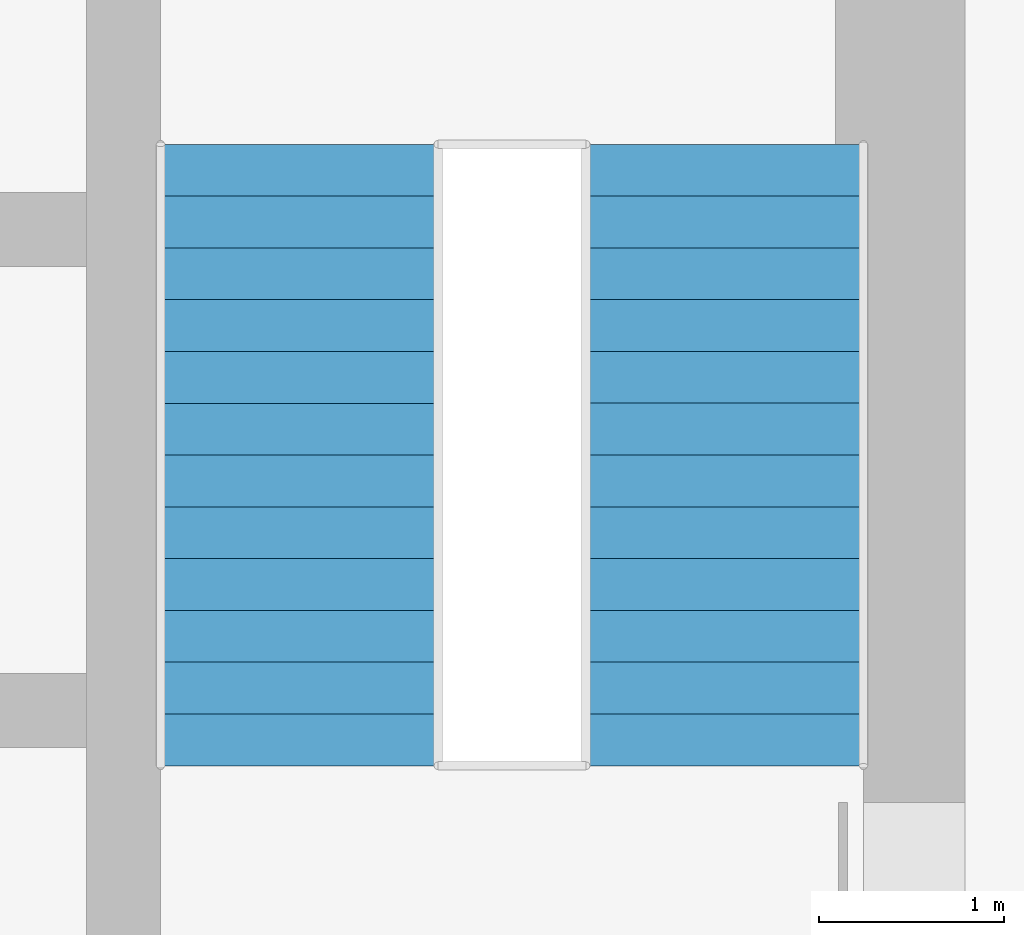
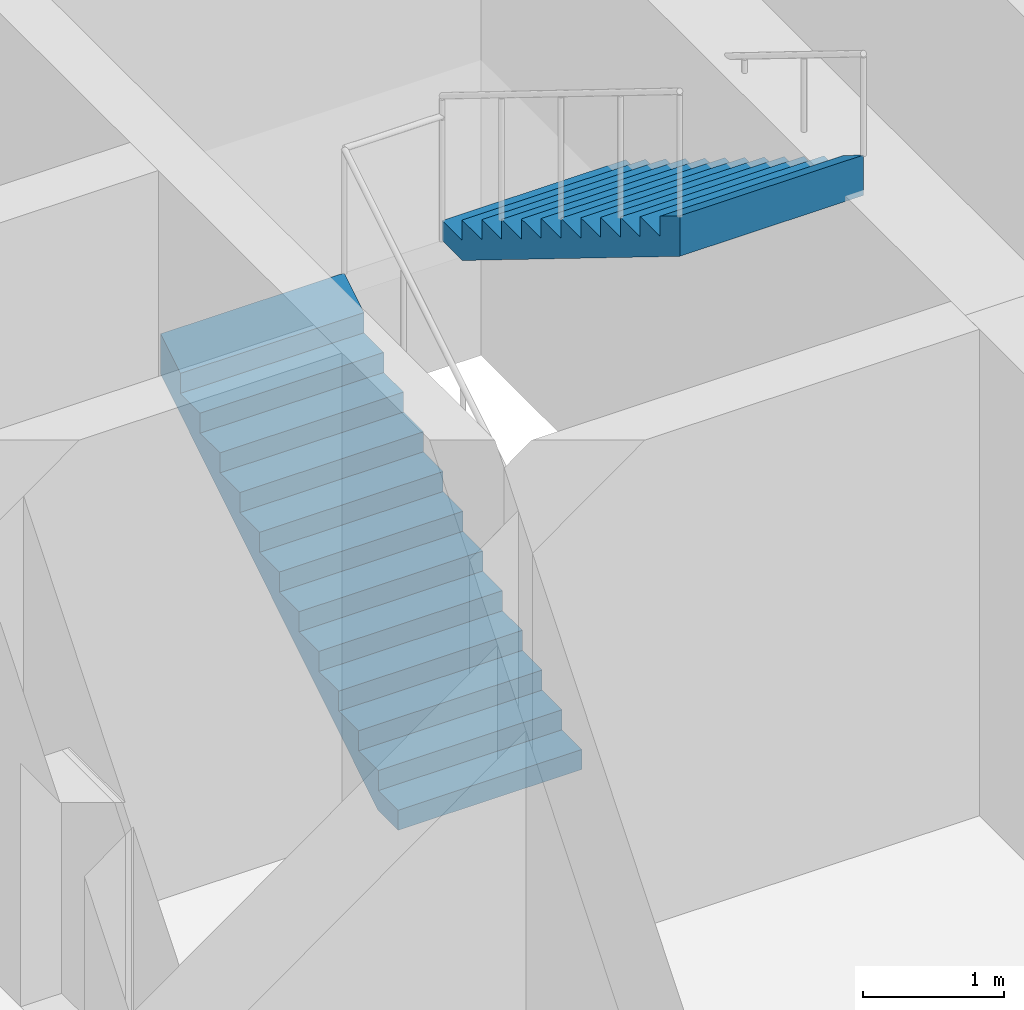
# One storey, part 19 of 24: 2 stair flights, 1 element without a shape of its own.
"""IFC4 building model written with IfcOpenShell, lengths in metres."""

from ifc_helpers import new_model, si_unit, direction, frame, origin, place, context, subcontext, project, spatial, triangles, material, type_object, element, aggregate, save


model = new_model("IFC4")

# Units and contexts
model_context = context("Model", 3, precision=1e-05, world=origin(), true_north=direction((0.0, 1.0)))
body_context = subcontext(model_context, "Body", "Model", "MODEL_VIEW")
ifc_project = project(units=[si_unit("LENGTHUNIT", "METRE"), si_unit("AREAUNIT", "SQUARE_METRE"), si_unit("VOLUMEUNIT", "CUBIC_METRE"), si_unit("PLANEANGLEUNIT", "RADIAN"), si_unit("MASSUNIT", "GRAM", prefix="KILO")], contexts=[model_context])

# Site, building, storey
site_placement = place(None, origin())
site = spatial("IfcSite", under=ifc_project, at=site_placement, CompositionType="ELEMENT")
building_placement = place(site_placement, origin())
building = spatial("IfcBuilding", under=site, at=building_placement, Name="Ludao Terraces", CompositionType="ELEMENT")
storey_placement = place(building_placement, frame((0.0, 0.0, 6.0)))
storey = spatial("IfcBuildingStorey", under=building, at=storey_placement, Name="L01", CompositionType="ELEMENT", Elevation=6.0)

# Stair, stair flights
ifc_material = material(Name="Concrete C40", Category="concrete")
stair_type = type_object("IfcStairType", Name="INT Stair", PredefinedType="HALF_TURN_STAIR", material=ifc_material)
stair_placement = place(storey_placement, origin())
stair = element("IfcStair", 1, at=stair_placement, inside=storey, type_object=stair_type, Name="EXIT STAIR 2", PredefinedType="HALF_TURN_STAIR")
stair_flight_type = type_object("IfcStairFlightType", Name="INT Stair flight", PredefinedType="STRAIGHT", material=ifc_material)
stair_flight_1_placement = place(storey_placement, frame((91.5, 79.0, 0.0), z_axis=(0.0, 0.0, 1.0), x_axis=(0.0, 1.0, 0.0)))
stair_flight_1 = element("IfcStairFlight", 2, at=stair_flight_1_placement, type_object=stair_flight_type, Name="ST2 flight 1", NumberOfRisers=13, NumberOfTreads=12, PredefinedType="STRAIGHT", RiserHeight=0.173077, TreadLength=0.28, context=body_context, shape_type="Tessellation", body=[
    triangles([(0.0, -0.75, 0.0), (0.0, -0.5, 0.0), (0.0, -0.25, 0.0), (0.0, 0.0, 0.0), (0.0, 0.25, 0.0), (0.0, 0.5, 0.0), (0.0, 0.75, 0.0), (0.0, -0.75, 0.173095703125), (0.0, -0.5, 0.173095703125), (0.0, -0.25, 0.173095703125), (0.0, 0.0, 0.173095703125), (0.0, 0.25, 0.173095703125), (0.0, 0.5, 0.173095703125), (0.0, 0.75, 0.173095703125), (0.280029296875, -0.75, 0.173095703125), (0.280029296875, -0.5, 0.173095703125), (0.280029296875, -0.25, 0.173095703125), (0.280029296875, 0.0, 0.173095703125), (0.280029296875, 0.25, 0.173095703125), (0.280029296875, 0.5, 0.173095703125), (0.280029296875, 0.75, 0.173095703125), (0.280029296875, -0.75, 0.34619140625), (0.280029296875, -0.5, 0.34619140625), (0.280029296875, -0.25, 0.34619140625), (0.280029296875, 0.0, 0.34619140625), (0.280029296875, 0.25, 0.34619140625), (0.280029296875, 0.5, 0.34619140625), (0.280029296875, 0.75, 0.34619140625), (0.56005859375, -0.75, 0.34619140625), (0.56005859375, -0.5, 0.34619140625), (0.56005859375, -0.25, 0.34619140625), (0.56005859375, 0.0, 0.34619140625), (0.56005859375, 0.25, 0.34619140625), (0.56005859375, 0.5, 0.34619140625), (0.56005859375, 0.75, 0.34619140625), (0.56005859375, -0.75, 0.519287109375), (0.56005859375, -0.5, 0.519287109375), (0.56005859375, -0.25, 0.519287109375), (0.56005859375, 0.0, 0.519287109375), (0.56005859375, 0.25, 0.519287109375), (0.56005859375, 0.5, 0.519287109375), (0.56005859375, 0.75, 0.519287109375), (0.840087890625, -0.75, 0.519287109375), (0.840087890625, -0.5, 0.519287109375), (0.840087890625, -0.25, 0.519287109375), (0.840087890625, 0.0, 0.519287109375), (0.840087890625, 0.25, 0.519287109375), (0.840087890625, 0.5, 0.519287109375), (0.840087890625, 0.75, 0.519287109375), (0.840087890625, -0.75, 0.6923828125), (0.840087890625, -0.5, 0.6923828125), (0.840087890625, -0.25, 0.6923828125), (0.840087890625, 0.0, 0.6923828125), (0.840087890625, 0.25, 0.6923828125), (0.840087890625, 0.5, 0.6923828125), (0.840087890625, 0.75, 0.6923828125), (1.1201171875, -0.75, 0.6923828125), (1.1201171875, -0.5, 0.6923828125), (1.1201171875, -0.25, 0.6923828125), (1.1201171875, 0.0, 0.6923828125), (1.1201171875, 0.25, 0.6923828125), (1.1201171875, 0.5, 0.6923828125), (1.1201171875, 0.75, 0.6923828125), (1.1201171875, -0.75, 0.865478515625), (1.1201171875, -0.5, 0.865478515625), (1.1201171875, -0.25, 0.865478515625), (1.1201171875, 0.0, 0.865478515625), (1.1201171875, 0.25, 0.865478515625), (1.1201171875, 0.5, 0.865478515625), (1.1201171875, 0.75, 0.865478515625), (1.39990234375, -0.75, 0.865478515625), (1.39990234375, -0.5, 0.865478515625), (1.39990234375, -0.25, 0.865478515625), (1.39990234375, 0.0, 0.865478515625), (1.39990234375, 0.25, 0.865478515625), (1.39990234375, 0.5, 0.865478515625), (1.39990234375, 0.75, 0.865478515625), (1.39990234375, -0.75, 1.03857421875), (1.39990234375, -0.5, 1.03857421875), (1.39990234375, -0.25, 1.03857421875), (1.39990234375, 0.0, 1.03857421875), (1.39990234375, 0.25, 1.03857421875), (1.39990234375, 0.5, 1.03857421875), (1.39990234375, 0.75, 1.03857421875), (1.679931640625, -0.75, 1.03857421875), (1.679931640625, -0.5, 1.03857421875), (1.679931640625, -0.25, 1.03857421875), (1.679931640625, 0.0, 1.03857421875), (1.679931640625, 0.25, 1.03857421875), (1.679931640625, 0.5, 1.03857421875), (1.679931640625, 0.75, 1.03857421875), (1.679931640625, -0.75, 1.21142578125), (1.679931640625, -0.5, 1.21142578125), (1.679931640625, -0.25, 1.21142578125), (1.679931640625, 0.0, 1.21142578125), (1.679931640625, 0.25, 1.21142578125), (1.679931640625, 0.5, 1.21142578125), (1.679931640625, 0.75, 1.21142578125), (1.9599609375, -0.75, 1.21142578125), (1.9599609375, -0.5, 1.21142578125), (1.9599609375, -0.25, 1.21142578125), (1.9599609375, 0.0, 1.21142578125), (1.9599609375, 0.25, 1.21142578125), (1.9599609375, 0.5, 1.21142578125), (1.9599609375, 0.75, 1.21142578125), (1.9599609375, -0.75, 1.384521484375), (1.9599609375, -0.5, 1.384521484375), (1.9599609375, -0.25, 1.384521484375), (1.9599609375, 0.0, 1.384521484375), (1.9599609375, 0.25, 1.384521484375), (1.9599609375, 0.5, 1.384521484375), (1.9599609375, 0.75, 1.384521484375), (2.239990234375, -0.75, 1.384521484375), (2.239990234375, -0.5, 1.384521484375), (2.239990234375, -0.25, 1.384521484375), (2.239990234375, 0.0, 1.384521484375), (2.239990234375, 0.25, 1.384521484375), (2.239990234375, 0.5, 1.384521484375), (2.239990234375, 0.75, 1.384521484375), (2.239990234375, -0.75, 1.5576171875), (2.239990234375, -0.5, 1.5576171875), (2.239990234375, -0.25, 1.5576171875), (2.239990234375, 0.0, 1.5576171875), (2.239990234375, 0.25, 1.5576171875), (2.239990234375, 0.5, 1.5576171875), (2.239990234375, 0.75, 1.5576171875), (2.52001953125, -0.75, 1.5576171875), (2.52001953125, -0.5, 1.5576171875), (2.52001953125, -0.25, 1.5576171875), (2.52001953125, 0.0, 1.5576171875), (2.52001953125, 0.25, 1.5576171875), (2.52001953125, 0.5, 1.5576171875), (2.52001953125, 0.75, 1.5576171875), (2.52001953125, -0.75, 1.730712890625), (2.52001953125, -0.5, 1.730712890625), (2.52001953125, -0.25, 1.730712890625), (2.52001953125, 0.0, 1.730712890625), (2.52001953125, 0.25, 1.730712890625), (2.52001953125, 0.5, 1.730712890625), (2.52001953125, 0.75, 1.730712890625), (2.800048828125, -0.75, 1.730712890625), (2.800048828125, -0.5, 1.730712890625), (2.800048828125, -0.25, 1.730712890625), (2.800048828125, 0.0, 1.730712890625), (2.800048828125, 0.25, 1.730712890625), (2.800048828125, 0.5, 1.730712890625), (2.800048828125, 0.75, 1.730712890625), (2.800048828125, -0.75, 1.90380859375), (2.800048828125, -0.5, 1.90380859375), (2.800048828125, -0.25, 1.90380859375), (2.800048828125, 0.0, 1.90380859375), (2.800048828125, 0.25, 1.90380859375), (2.800048828125, 0.5, 1.90380859375), (2.800048828125, 0.75, 1.90380859375), (3.080078125, -0.75, 1.90380859375), (3.080078125, -0.5, 1.90380859375), (3.080078125, -0.25, 1.90380859375), (3.080078125, 0.0, 1.90380859375), (3.080078125, 0.25, 1.90380859375), (3.080078125, 0.5, 1.90380859375), (3.080078125, 0.75, 1.90380859375), (3.080078125, -0.75, 2.076904296875), (3.080078125, -0.5, 2.076904296875), (3.080078125, -0.25, 2.076904296875), (3.080078125, 0.0, 2.076904296875), (3.080078125, 0.25, 2.076904296875), (3.080078125, 0.5, 2.076904296875), (3.080078125, 0.75, 2.076904296875), (3.360107421875, -0.75, 2.25), (3.360107421875, -0.5, 2.25), (3.360107421875, -0.25, 2.25), (3.360107421875, 0.0, 2.25), (3.360107421875, 0.25, 2.25), (3.360107421875, 0.5, 2.25), (3.360107421875, 0.75, 2.25), (3.360107421875, -0.75, 1.900634765625), (3.360107421875, -0.5, 1.900634765625), (3.360107421875, -0.25, 1.900634765625), (3.360107421875, 0.0, 1.900634765625), (3.360107421875, 0.25, 1.900634765625), (3.360107421875, 0.5, 1.900634765625), (3.360107421875, 0.75, 1.900634765625), (0.28515625, -0.75, 0.0), (0.28515625, -0.5, 0.0), (0.28515625, -0.25, 0.0), (0.28515625, 0.0, 0.0), (0.28515625, 0.25, 0.0), (0.28515625, 0.5, 0.0), (0.28515625, 0.75, 0.0)], [[1, 183, 176], [7, 182, 189], [176, 169, 162], [182, 168, 175], [176, 162, 155], [182, 161, 168], [176, 155, 148], [182, 154, 161], [176, 148, 141], [182, 147, 154], [141, 134, 127], [147, 133, 140], [176, 141, 127], [182, 133, 147], [127, 120, 113], [133, 119, 126], [176, 127, 113], [182, 119, 133], [113, 106, 99], [119, 105, 112], [176, 113, 99], [182, 105, 119], [1, 176, 99], [7, 105, 182], [99, 92, 85], [105, 91, 98], [85, 78, 71], [91, 77, 84], [99, 85, 71], [105, 77, 91], [71, 64, 57], [77, 63, 70], [99, 71, 57], [105, 63, 77], [57, 50, 43], [63, 49, 56], [99, 57, 43], [105, 49, 63], [43, 36, 29], [49, 35, 42], [99, 43, 29], [105, 35, 49], [29, 22, 15], [35, 21, 28], [99, 29, 15], [105, 21, 35], [1, 99, 15], [7, 21, 105], [15, 8, 1], [21, 7, 14], [1, 9, 2], [1, 8, 9], [2, 10, 3], [2, 9, 10], [3, 11, 4], [3, 10, 11], [4, 12, 5], [4, 11, 12], [5, 13, 6], [5, 12, 13], [6, 14, 7], [6, 13, 14], [8, 16, 9], [8, 15, 16], [9, 17, 10], [9, 16, 17], [10, 18, 11], [10, 17, 18], [11, 19, 12], [11, 18, 19], [12, 20, 13], [12, 19, 20], [13, 21, 14], [13, 20, 21], [15, 23, 16], [15, 22, 23], [16, 24, 17], [16, 23, 24], [17, 25, 18], [17, 24, 25], [18, 26, 19], [18, 25, 26], [19, 27, 20], [19, 26, 27], [20, 28, 21], [20, 27, 28], [22, 30, 23], [22, 29, 30], [23, 31, 24], [23, 30, 31], [24, 32, 25], [24, 31, 32], [25, 33, 26], [25, 32, 33], [26, 34, 27], [26, 33, 34], [27, 35, 28], [27, 34, 35], [29, 37, 30], [29, 36, 37], [30, 38, 31], [30, 37, 38], [31, 39, 32], [31, 38, 39], [32, 40, 33], [32, 39, 40], [33, 41, 34], [33, 40, 41], [34, 42, 35], [34, 41, 42], [36, 44, 37], [36, 43, 44], [37, 45, 38], [37, 44, 45], [38, 46, 39], [38, 45, 46], [39, 47, 40], [39, 46, 47], [40, 48, 41], [40, 47, 48], [41, 49, 42], [41, 48, 49], [43, 51, 44], [43, 50, 51], [44, 52, 45], [44, 51, 52], [45, 53, 46], [45, 52, 53], [46, 54, 47], [46, 53, 54], [47, 55, 48], [47, 54, 55], [48, 56, 49], [48, 55, 56], [50, 58, 51], [50, 57, 58], [51, 59, 52], [51, 58, 59], [52, 60, 53], [52, 59, 60], [53, 61, 54], [53, 60, 61], [54, 62, 55], [54, 61, 62], [55, 63, 56], [55, 62, 63], [57, 65, 58], [57, 64, 65], [58, 66, 59], [58, 65, 66], [59, 67, 60], [59, 66, 67], [60, 68, 61], [60, 67, 68], [61, 69, 62], [61, 68, 69], [62, 70, 63], [62, 69, 70], [64, 72, 65], [64, 71, 72], [65, 73, 66], [65, 72, 73], [66, 74, 67], [66, 73, 74], [67, 75, 68], [67, 74, 75], [68, 76, 69], [68, 75, 76], [69, 77, 70], [69, 76, 77], [71, 79, 72], [71, 78, 79], [72, 80, 73], [72, 79, 80], [73, 81, 74], [73, 80, 81], [74, 82, 75], [74, 81, 82], [75, 83, 76], [75, 82, 83], [76, 84, 77], [76, 83, 84], [78, 86, 79], [78, 85, 86], [79, 87, 80], [79, 86, 87], [80, 88, 81], [80, 87, 88], [81, 89, 82], [81, 88, 89], [82, 90, 83], [82, 89, 90], [83, 91, 84], [83, 90, 91], [85, 93, 86], [85, 92, 93], [86, 94, 87], [86, 93, 94], [87, 95, 88], [87, 94, 95], [88, 96, 89], [88, 95, 96], [89, 97, 90], [89, 96, 97], [90, 98, 91], [90, 97, 98], [92, 100, 93], [92, 99, 100], [93, 101, 94], [93, 100, 101], [94, 102, 95], [94, 101, 102], [95, 103, 96], [95, 102, 103], [96, 104, 97], [96, 103, 104], [97, 105, 98], [97, 104, 105], [99, 107, 100], [99, 106, 107], [100, 108, 101], [100, 107, 108], [101, 109, 102], [101, 108, 109], [102, 110, 103], [102, 109, 110], [103, 111, 104], [103, 110, 111], [104, 112, 105], [104, 111, 112], [106, 114, 107], [106, 113, 114], [107, 115, 108], [107, 114, 115], [108, 116, 109], [108, 115, 116], [109, 117, 110], [109, 116, 117], [110, 118, 111], [110, 117, 118], [111, 119, 112], [111, 118, 119], [113, 121, 114], [113, 120, 121], [114, 122, 115], [114, 121, 122], [115, 123, 116], [115, 122, 123], [116, 124, 117], [116, 123, 124], [117, 125, 118], [117, 124, 125], [118, 126, 119], [118, 125, 126], [120, 128, 121], [120, 127, 128], [121, 129, 122], [121, 128, 129], [122, 130, 123], [122, 129, 130], [123, 131, 124], [123, 130, 131], [124, 132, 125], [124, 131, 132], [125, 133, 126], [125, 132, 133], [127, 135, 128], [127, 134, 135], [128, 136, 129], [128, 135, 136], [129, 137, 130], [129, 136, 137], [130, 138, 131], [130, 137, 138], [131, 139, 132], [131, 138, 139], [132, 140, 133], [132, 139, 140], [134, 142, 135], [134, 141, 142], [135, 143, 136], [135, 142, 143], [136, 144, 137], [136, 143, 144], [137, 145, 138], [137, 144, 145], [138, 146, 139], [138, 145, 146], [139, 147, 140], [139, 146, 147], [141, 149, 142], [141, 148, 149], [142, 150, 143], [142, 149, 150], [143, 151, 144], [143, 150, 151], [144, 152, 145], [144, 151, 152], [145, 153, 146], [145, 152, 153], [146, 154, 147], [146, 153, 154], [148, 156, 149], [148, 155, 156], [149, 157, 150], [149, 156, 157], [150, 158, 151], [150, 157, 158], [151, 159, 152], [151, 158, 159], [152, 160, 153], [152, 159, 160], [153, 161, 154], [153, 160, 161], [155, 163, 156], [155, 162, 163], [156, 164, 157], [156, 163, 164], [157, 165, 158], [157, 164, 165], [158, 166, 159], [158, 165, 166], [159, 167, 160], [159, 166, 167], [160, 168, 161], [160, 167, 168], [162, 170, 163], [162, 169, 170], [163, 171, 164], [163, 170, 171], [164, 172, 165], [164, 171, 172], [165, 173, 166], [165, 172, 173], [166, 174, 167], [166, 173, 174], [167, 175, 168], [167, 174, 175], [169, 177, 170], [169, 176, 177], [170, 178, 171], [170, 177, 178], [171, 179, 172], [171, 178, 179], [172, 180, 173], [172, 179, 180], [173, 181, 174], [173, 180, 181], [174, 182, 175], [174, 181, 182], [176, 184, 177], [176, 183, 184], [177, 185, 178], [177, 184, 185], [178, 186, 179], [178, 185, 186], [179, 187, 180], [179, 186, 187], [180, 188, 181], [180, 187, 188], [181, 189, 182], [181, 188, 189], [183, 2, 184], [183, 1, 2], [184, 3, 185], [184, 2, 3], [185, 4, 186], [185, 3, 4], [186, 5, 187], [186, 4, 5], [187, 6, 188], [187, 5, 6], [188, 7, 189], [188, 6, 7]], closed=True),
])
stair_flight_2_placement = place(storey_placement, frame((93.800048828125, 82.360107421875, 2.25), z_axis=(0.0, 0.0, 1.0), x_axis=(0.0, -1.0, 0.0)))
stair_flight_2 = element("IfcStairFlight", 3, at=stair_flight_2_placement, type_object=stair_flight_type, Name="ST2 flight 2", NumberOfRisers=13, NumberOfTreads=12, PredefinedType="STRAIGHT", RiserHeight=0.173077, TreadLength=0.28, context=body_context, shape_type="Tessellation", body=[
    triangles([(0.0, -0.75, 0.0), (0.0, -0.5, 0.0), (0.0, -0.25, 0.0), (0.0, 0.0, 0.0), (0.0, 0.25, 0.0), (0.0, 0.5, 0.0), (0.0, 0.75, 0.0), (0.0, -0.75, 0.173095703125), (0.0, -0.5, 0.173095703125), (0.0, -0.25, 0.173095703125), (0.0, 0.0, 0.173095703125), (0.0, 0.25, 0.173095703125), (0.0, 0.5, 0.173095703125), (0.0, 0.75, 0.173095703125), (0.280029296875, -0.75, 0.173095703125), (0.280029296875, -0.5, 0.173095703125), (0.280029296875, -0.25, 0.173095703125), (0.280029296875, 0.0, 0.173095703125), (0.280029296875, 0.25, 0.173095703125), (0.280029296875, 0.5, 0.173095703125), (0.280029296875, 0.75, 0.173095703125), (0.280029296875, -0.75, 0.34619140625), (0.280029296875, -0.5, 0.34619140625), (0.280029296875, -0.25, 0.34619140625), (0.280029296875, 0.0, 0.34619140625), (0.280029296875, 0.25, 0.34619140625), (0.280029296875, 0.5, 0.34619140625), (0.280029296875, 0.75, 0.34619140625), (0.56005859375, -0.75, 0.34619140625), (0.56005859375, -0.5, 0.34619140625), (0.56005859375, -0.25, 0.34619140625), (0.56005859375, 0.0, 0.34619140625), (0.56005859375, 0.25, 0.34619140625), (0.56005859375, 0.5, 0.34619140625), (0.56005859375, 0.75, 0.34619140625), (0.56005859375, -0.75, 0.519287109375), (0.56005859375, -0.5, 0.519287109375), (0.56005859375, -0.25, 0.519287109375), (0.56005859375, 0.0, 0.519287109375), (0.56005859375, 0.25, 0.519287109375), (0.56005859375, 0.5, 0.519287109375), (0.56005859375, 0.75, 0.519287109375), (0.840087890625, -0.75, 0.519287109375), (0.840087890625, -0.5, 0.519287109375), (0.840087890625, -0.25, 0.519287109375), (0.840087890625, 0.0, 0.519287109375), (0.840087890625, 0.25, 0.519287109375), (0.840087890625, 0.5, 0.519287109375), (0.840087890625, 0.75, 0.519287109375), (0.840087890625, -0.75, 0.6923828125), (0.840087890625, -0.5, 0.6923828125), (0.840087890625, -0.25, 0.6923828125), (0.840087890625, 0.0, 0.6923828125), (0.840087890625, 0.25, 0.6923828125), (0.840087890625, 0.5, 0.6923828125), (0.840087890625, 0.75, 0.6923828125), (1.1201171875, -0.75, 0.6923828125), (1.1201171875, -0.5, 0.6923828125), (1.1201171875, -0.25, 0.6923828125), (1.1201171875, 0.0, 0.6923828125), (1.1201171875, 0.25, 0.6923828125), (1.1201171875, 0.5, 0.6923828125), (1.1201171875, 0.75, 0.6923828125), (1.1201171875, -0.75, 0.865478515625), (1.1201171875, -0.5, 0.865478515625), (1.1201171875, -0.25, 0.865478515625), (1.1201171875, 0.0, 0.865478515625), (1.1201171875, 0.25, 0.865478515625), (1.1201171875, 0.5, 0.865478515625), (1.1201171875, 0.75, 0.865478515625), (1.39990234375, -0.75, 0.865478515625), (1.39990234375, -0.5, 0.865478515625), (1.39990234375, -0.25, 0.865478515625), (1.39990234375, 0.0, 0.865478515625), (1.39990234375, 0.25, 0.865478515625), (1.39990234375, 0.5, 0.865478515625), (1.39990234375, 0.75, 0.865478515625), (1.39990234375, -0.75, 1.03857421875), (1.39990234375, -0.5, 1.03857421875), (1.39990234375, -0.25, 1.03857421875), (1.39990234375, 0.0, 1.03857421875), (1.39990234375, 0.25, 1.03857421875), (1.39990234375, 0.5, 1.03857421875), (1.39990234375, 0.75, 1.03857421875), (1.679931640625, -0.75, 1.03857421875), (1.679931640625, -0.5, 1.03857421875), (1.679931640625, -0.25, 1.03857421875), (1.679931640625, 0.0, 1.03857421875), (1.679931640625, 0.25, 1.03857421875), (1.679931640625, 0.5, 1.03857421875), (1.679931640625, 0.75, 1.03857421875), (1.679931640625, -0.75, 1.21142578125), (1.679931640625, -0.5, 1.21142578125), (1.679931640625, -0.25, 1.21142578125), (1.679931640625, 0.0, 1.21142578125), (1.679931640625, 0.25, 1.21142578125), (1.679931640625, 0.5, 1.21142578125), (1.679931640625, 0.75, 1.21142578125), (1.9599609375, -0.75, 1.21142578125), (1.9599609375, -0.5, 1.21142578125), (1.9599609375, -0.25, 1.21142578125), (1.9599609375, 0.0, 1.21142578125), (1.9599609375, 0.25, 1.21142578125), (1.9599609375, 0.5, 1.21142578125), (1.9599609375, 0.75, 1.21142578125), (1.9599609375, -0.75, 1.384521484375), (1.9599609375, -0.5, 1.384521484375), (1.9599609375, -0.25, 1.384521484375), (1.9599609375, 0.0, 1.384521484375), (1.9599609375, 0.25, 1.384521484375), (1.9599609375, 0.5, 1.384521484375), (1.9599609375, 0.75, 1.384521484375), (2.239990234375, -0.75, 1.384521484375), (2.239990234375, -0.5, 1.384521484375), (2.239990234375, -0.25, 1.384521484375), (2.239990234375, 0.0, 1.384521484375), (2.239990234375, 0.25, 1.384521484375), (2.239990234375, 0.5, 1.384521484375), (2.239990234375, 0.75, 1.384521484375), (2.239990234375, -0.75, 1.5576171875), (2.239990234375, -0.5, 1.5576171875), (2.239990234375, -0.25, 1.5576171875), (2.239990234375, 0.0, 1.5576171875), (2.239990234375, 0.25, 1.5576171875), (2.239990234375, 0.5, 1.5576171875), (2.239990234375, 0.75, 1.5576171875), (2.52001953125, -0.75, 1.5576171875), (2.52001953125, -0.5, 1.5576171875), (2.52001953125, -0.25, 1.5576171875), (2.52001953125, 0.0, 1.5576171875), (2.52001953125, 0.25, 1.5576171875), (2.52001953125, 0.5, 1.5576171875), (2.52001953125, 0.75, 1.5576171875), (2.52001953125, -0.75, 1.730712890625), (2.52001953125, -0.5, 1.730712890625), (2.52001953125, -0.25, 1.730712890625), (2.52001953125, 0.0, 1.730712890625), (2.52001953125, 0.25, 1.730712890625), (2.52001953125, 0.5, 1.730712890625), (2.52001953125, 0.75, 1.730712890625), (2.800048828125, -0.75, 1.730712890625), (2.800048828125, -0.5, 1.730712890625), (2.800048828125, -0.25, 1.730712890625), (2.800048828125, 0.0, 1.730712890625), (2.800048828125, 0.25, 1.730712890625), (2.800048828125, 0.5, 1.730712890625), (2.800048828125, 0.75, 1.730712890625), (2.800048828125, -0.75, 1.90380859375), (2.800048828125, -0.5, 1.90380859375), (2.800048828125, -0.25, 1.90380859375), (2.800048828125, 0.0, 1.90380859375), (2.800048828125, 0.25, 1.90380859375), (2.800048828125, 0.5, 1.90380859375), (2.800048828125, 0.75, 1.90380859375), (3.080078125, -0.75, 1.90380859375), (3.080078125, -0.5, 1.90380859375), (3.080078125, -0.25, 1.90380859375), (3.080078125, 0.0, 1.90380859375), (3.080078125, 0.25, 1.90380859375), (3.080078125, 0.5, 1.90380859375), (3.080078125, 0.75, 1.90380859375), (3.080078125, -0.75, 2.076904296875), (3.080078125, -0.5, 2.076904296875), (3.080078125, -0.25, 2.076904296875), (3.080078125, 0.0, 2.076904296875), (3.080078125, 0.25, 2.076904296875), (3.080078125, 0.5, 2.076904296875), (3.080078125, 0.75, 2.076904296875), (3.360107421875, -0.75, 2.25), (3.360107421875, -0.5, 2.25), (3.360107421875, -0.25, 2.25), (3.360107421875, 0.0, 2.25), (3.360107421875, 0.25, 2.25), (3.360107421875, 0.5, 2.25), (3.360107421875, 0.75, 2.25), (3.360107421875, -0.75, 1.900634765625), (3.360107421875, -0.5, 1.900634765625), (3.360107421875, -0.25, 1.900634765625), (3.360107421875, 0.0, 1.900634765625), (3.360107421875, 0.25, 1.900634765625), (3.360107421875, 0.5, 1.900634765625), (3.360107421875, 0.75, 1.900634765625), (0.28515625, -0.75, 0.0), (0.28515625, -0.5, 0.0), (0.28515625, -0.25, 0.0), (0.28515625, 0.0, 0.0), (0.28515625, 0.25, 0.0), (0.28515625, 0.5, 0.0), (0.28515625, 0.75, 0.0)], [[1, 183, 176], [7, 182, 189], [176, 169, 162], [182, 168, 175], [176, 162, 155], [182, 161, 168], [176, 155, 148], [182, 154, 161], [176, 148, 141], [182, 147, 154], [141, 134, 127], [147, 133, 140], [176, 141, 127], [182, 133, 147], [127, 120, 113], [133, 119, 126], [176, 127, 113], [182, 119, 133], [113, 106, 99], [119, 105, 112], [176, 113, 99], [182, 105, 119], [1, 176, 99], [7, 105, 182], [99, 92, 85], [105, 91, 98], [85, 78, 71], [91, 77, 84], [99, 85, 71], [105, 77, 91], [71, 64, 57], [77, 63, 70], [99, 71, 57], [105, 63, 77], [57, 50, 43], [63, 49, 56], [99, 57, 43], [105, 49, 63], [43, 36, 29], [49, 35, 42], [99, 43, 29], [105, 35, 49], [29, 22, 15], [35, 21, 28], [99, 29, 15], [105, 21, 35], [1, 99, 15], [7, 21, 105], [15, 8, 1], [21, 7, 14], [1, 9, 2], [1, 8, 9], [2, 10, 3], [2, 9, 10], [3, 11, 4], [3, 10, 11], [4, 12, 5], [4, 11, 12], [5, 13, 6], [5, 12, 13], [6, 14, 7], [6, 13, 14], [8, 16, 9], [8, 15, 16], [9, 17, 10], [9, 16, 17], [10, 18, 11], [10, 17, 18], [11, 19, 12], [11, 18, 19], [12, 20, 13], [12, 19, 20], [13, 21, 14], [13, 20, 21], [15, 23, 16], [15, 22, 23], [16, 24, 17], [16, 23, 24], [17, 25, 18], [17, 24, 25], [18, 26, 19], [18, 25, 26], [19, 27, 20], [19, 26, 27], [20, 28, 21], [20, 27, 28], [22, 30, 23], [22, 29, 30], [23, 31, 24], [23, 30, 31], [24, 32, 25], [24, 31, 32], [25, 33, 26], [25, 32, 33], [26, 34, 27], [26, 33, 34], [27, 35, 28], [27, 34, 35], [29, 37, 30], [29, 36, 37], [30, 38, 31], [30, 37, 38], [31, 39, 32], [31, 38, 39], [32, 40, 33], [32, 39, 40], [33, 41, 34], [33, 40, 41], [34, 42, 35], [34, 41, 42], [36, 44, 37], [36, 43, 44], [37, 45, 38], [37, 44, 45], [38, 46, 39], [38, 45, 46], [39, 47, 40], [39, 46, 47], [40, 48, 41], [40, 47, 48], [41, 49, 42], [41, 48, 49], [43, 51, 44], [43, 50, 51], [44, 52, 45], [44, 51, 52], [45, 53, 46], [45, 52, 53], [46, 54, 47], [46, 53, 54], [47, 55, 48], [47, 54, 55], [48, 56, 49], [48, 55, 56], [50, 58, 51], [50, 57, 58], [51, 59, 52], [51, 58, 59], [52, 60, 53], [52, 59, 60], [53, 61, 54], [53, 60, 61], [54, 62, 55], [54, 61, 62], [55, 63, 56], [55, 62, 63], [57, 65, 58], [57, 64, 65], [58, 66, 59], [58, 65, 66], [59, 67, 60], [59, 66, 67], [60, 68, 61], [60, 67, 68], [61, 69, 62], [61, 68, 69], [62, 70, 63], [62, 69, 70], [64, 72, 65], [64, 71, 72], [65, 73, 66], [65, 72, 73], [66, 74, 67], [66, 73, 74], [67, 75, 68], [67, 74, 75], [68, 76, 69], [68, 75, 76], [69, 77, 70], [69, 76, 77], [71, 79, 72], [71, 78, 79], [72, 80, 73], [72, 79, 80], [73, 81, 74], [73, 80, 81], [74, 82, 75], [74, 81, 82], [75, 83, 76], [75, 82, 83], [76, 84, 77], [76, 83, 84], [78, 86, 79], [78, 85, 86], [79, 87, 80], [79, 86, 87], [80, 88, 81], [80, 87, 88], [81, 89, 82], [81, 88, 89], [82, 90, 83], [82, 89, 90], [83, 91, 84], [83, 90, 91], [85, 93, 86], [85, 92, 93], [86, 94, 87], [86, 93, 94], [87, 95, 88], [87, 94, 95], [88, 96, 89], [88, 95, 96], [89, 97, 90], [89, 96, 97], [90, 98, 91], [90, 97, 98], [92, 100, 93], [92, 99, 100], [93, 101, 94], [93, 100, 101], [94, 102, 95], [94, 101, 102], [95, 103, 96], [95, 102, 103], [96, 104, 97], [96, 103, 104], [97, 105, 98], [97, 104, 105], [99, 107, 100], [99, 106, 107], [100, 108, 101], [100, 107, 108], [101, 109, 102], [101, 108, 109], [102, 110, 103], [102, 109, 110], [103, 111, 104], [103, 110, 111], [104, 112, 105], [104, 111, 112], [106, 114, 107], [106, 113, 114], [107, 115, 108], [107, 114, 115], [108, 116, 109], [108, 115, 116], [109, 117, 110], [109, 116, 117], [110, 118, 111], [110, 117, 118], [111, 119, 112], [111, 118, 119], [113, 121, 114], [113, 120, 121], [114, 122, 115], [114, 121, 122], [115, 123, 116], [115, 122, 123], [116, 124, 117], [116, 123, 124], [117, 125, 118], [117, 124, 125], [118, 126, 119], [118, 125, 126], [120, 128, 121], [120, 127, 128], [121, 129, 122], [121, 128, 129], [122, 130, 123], [122, 129, 130], [123, 131, 124], [123, 130, 131], [124, 132, 125], [124, 131, 132], [125, 133, 126], [125, 132, 133], [127, 135, 128], [127, 134, 135], [128, 136, 129], [128, 135, 136], [129, 137, 130], [129, 136, 137], [130, 138, 131], [130, 137, 138], [131, 139, 132], [131, 138, 139], [132, 140, 133], [132, 139, 140], [134, 142, 135], [134, 141, 142], [135, 143, 136], [135, 142, 143], [136, 144, 137], [136, 143, 144], [137, 145, 138], [137, 144, 145], [138, 146, 139], [138, 145, 146], [139, 147, 140], [139, 146, 147], [141, 149, 142], [141, 148, 149], [142, 150, 143], [142, 149, 150], [143, 151, 144], [143, 150, 151], [144, 152, 145], [144, 151, 152], [145, 153, 146], [145, 152, 153], [146, 154, 147], [146, 153, 154], [148, 156, 149], [148, 155, 156], [149, 157, 150], [149, 156, 157], [150, 158, 151], [150, 157, 158], [151, 159, 152], [151, 158, 159], [152, 160, 153], [152, 159, 160], [153, 161, 154], [153, 160, 161], [155, 163, 156], [155, 162, 163], [156, 164, 157], [156, 163, 164], [157, 165, 158], [157, 164, 165], [158, 166, 159], [158, 165, 166], [159, 167, 160], [159, 166, 167], [160, 168, 161], [160, 167, 168], [162, 170, 163], [162, 169, 170], [163, 171, 164], [163, 170, 171], [164, 172, 165], [164, 171, 172], [165, 173, 166], [165, 172, 173], [166, 174, 167], [166, 173, 174], [167, 175, 168], [167, 174, 175], [169, 177, 170], [169, 176, 177], [170, 178, 171], [170, 177, 178], [171, 179, 172], [171, 178, 179], [172, 180, 173], [172, 179, 180], [173, 181, 174], [173, 180, 181], [174, 182, 175], [174, 181, 182], [176, 184, 177], [176, 183, 184], [177, 185, 178], [177, 184, 185], [178, 186, 179], [178, 185, 186], [179, 187, 180], [179, 186, 187], [180, 188, 181], [180, 187, 188], [181, 189, 182], [181, 188, 189], [183, 2, 184], [183, 1, 2], [184, 3, 185], [184, 2, 3], [185, 4, 186], [185, 3, 4], [186, 5, 187], [186, 4, 5], [187, 6, 188], [187, 5, 6], [188, 7, 189], [188, 6, 7]], closed=True),
])
aggregate(stair, [stair_flight_1, stair_flight_2])

save(model, "model.ifc")
